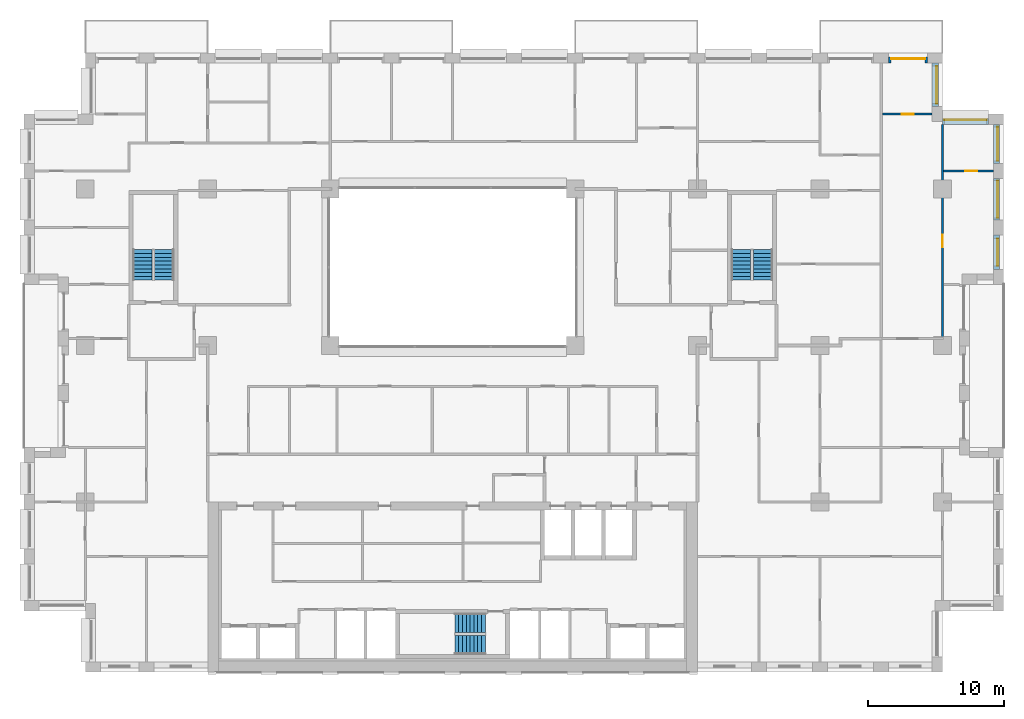
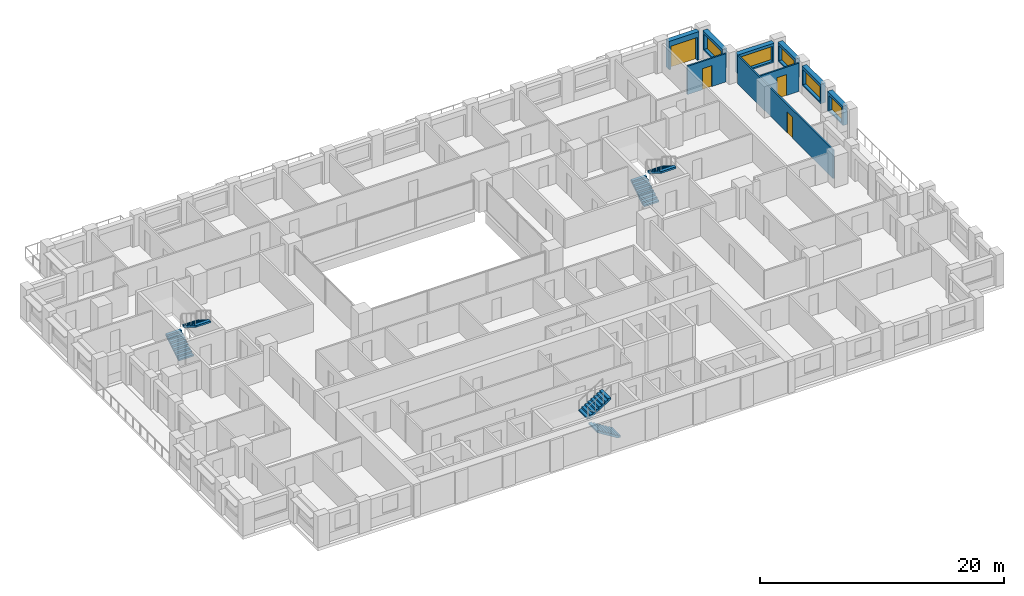
# One storey, part 15 of 16: 9 walls, 6 stair flights, 5 windows, 4 doors, 9 openings, 3 elements without a shape of their own.
"""IFC4 building model written with IfcOpenShell, lengths in metres."""

from ifc_helpers import new_model, si_unit, direction, frame, frame_2d, origin, place, context, subcontext, project, spatial, polyline, rectangle, outline, extrude, material, layer, layer_set, type_object, element, fill, aggregate, save


model = new_model("IFC4")

# Units and contexts
model_context = context("Model", 3, precision=1e-05, world=origin(), true_north=direction((0.0, 1.0)))
body_context = subcontext(model_context, "Body", "Model", "MODEL_VIEW")
ifc_project = project(units=[si_unit("LENGTHUNIT", "METRE"), si_unit("AREAUNIT", "SQUARE_METRE"), si_unit("VOLUMEUNIT", "CUBIC_METRE"), si_unit("PLANEANGLEUNIT", "RADIAN"), si_unit("MASSUNIT", "GRAM", prefix="KILO")], contexts=[model_context])

# Site, building, storey
site_placement = place(None, origin())
site = spatial("IfcSite", under=ifc_project, at=site_placement, CompositionType="ELEMENT")
building_placement = place(site_placement, origin())
building = spatial("IfcBuilding", under=site, at=building_placement, Name="Brigalow Station Residences", CompositionType="ELEMENT")
storey_placement = place(building_placement, frame((0.0, 0.0, 124.5)))
storey = spatial("IfcBuildingStorey", under=building, at=storey_placement, Name="L36", CompositionType="ELEMENT", Elevation=124.5)

# Wall, opening, window
ifc_material_1 = material(Name="Clay brick masonry", Category="masonry")
ifc_layer_1 = layer(ifc_material_1, 0.449951171875)
ifc_layer_set_1 = layer_set([ifc_layer_1], Name="BRICK INFILL WALL 450")
wall_type_1 = type_object("IfcWallType", Name="BRICK INFILL WALL 450", PredefinedType="SOLIDWALL", material=ifc_layer_set_1)
wall_1_placement = place(storey_placement, frame((75.97509765625, 29.60009765625, 0.89990234375), z_axis=(0.0, 0.0, 1.0), x_axis=(0.0, 1.0, 0.0)))
wall_1 = element("IfcWall", 1, at=wall_1_placement, inside=storey, type_object=wall_type_1, Name="L36/ewall/W-L36-18", PredefinedType="SOLIDWALL", context=body_context, shape_type="SweptSolid", body=[
    extrude(rectangle(XDim=2.516845703125, YDim=0.449951171875, at=frame_2d((1.25830078125, 0.0))), origin(), (0.0, 0.0, 1.0), 1.93017578125),
])
opening_1_placement = place(wall_1_placement, frame((0.258544921875, 0.0, 0.14990234375)))
opening_1 = element("IfcOpeningElement", 2, at=opening_1_placement, cuts=wall_1, Name="Opening WT-7", PredefinedType="OPENING", context=body_context, shape_type="SweptSolid", body=[
    extrude(rectangle(XDim=2.0, YDim=1.5, at=frame_2d((1.0, 0.75))), frame((0.0, 0.23486328125, 0.0), z_axis=(0.0, -1.0, 0.0), x_axis=(1.0, 0.0, 0.0)), (0.0, 0.0, 1.0), 0.469970703125),
])
ifc_material_2 = material(Name="Anodised aluminium frame with double glazing", Category="aluminium")
window_type_1 = type_object("IfcWindowType", Name="WINDOW 2000x1500", PartitioningType="SINGLE_PANEL", PredefinedType="WINDOW", material=ifc_material_2)
window_1_placement = place(opening_1_placement, origin())
window_1 = element("IfcWindow", 3, at=window_1_placement, inside=storey, type_object=window_type_1, Name="L36/window/W-L36-18", OverallHeight=1.5, OverallWidth=2.0, PartitioningType="SINGLE_PANEL", PredefinedType="WINDOW", context=body_context, shape_type="SweptSolid", body=[
    extrude(rectangle(XDim=2.0, YDim=1.5, at=frame_2d((1.0, 0.75))), frame((0.0, -0.06494140625, 0.0), z_axis=(0.0, -1.0, 0.0), x_axis=(1.0, 0.0, 0.0)), (0.0, 0.0, 1.0), 0.06005859375),
])
fill(opening_1, window_1)

wall_2_placement = place(storey_placement, frame((75.97509765625, 33.217041015625, 0.89990234375), z_axis=(0.0, 0.0, 1.0), x_axis=(0.0, 1.0, 0.0)))
wall_2 = element("IfcWall", 4, at=wall_2_placement, inside=storey, type_object=wall_type_1, Name="L36/ewall/W-L36-19", PredefinedType="SOLIDWALL", context=body_context, shape_type="SweptSolid", body=[
    extrude(rectangle(XDim=3.06591796875, YDim=0.449951171875, at=frame_2d((1.532958984375, 0.0))), origin(), (0.0, 0.0, 1.0), 1.93017578125),
])
opening_2_placement = place(wall_2_placement, frame((0.157958984375, 0.0, 0.14990234375)))
opening_2 = element("IfcOpeningElement", 5, at=opening_2_placement, cuts=wall_2, Name="Opening WT-3", PredefinedType="OPENING", context=body_context, shape_type="SweptSolid", body=[
    extrude(rectangle(XDim=2.75, YDim=1.5, at=frame_2d((1.375, 0.75))), frame((0.0, 0.23486328125, 0.0), z_axis=(0.0, -1.0, 0.0), x_axis=(1.0, 0.0, 0.0)), (0.0, 0.0, 1.0), 0.469970703125),
])
ifc_material_3 = material(Name="Anodised aluminium frame with double glazing", Category="aluminium")
window_type_2 = type_object("IfcWindowType", Name="WINDOW 2750x1500", PartitioningType="SINGLE_PANEL", PredefinedType="WINDOW", material=ifc_material_3)
window_2_placement = place(opening_2_placement, origin())
window_2 = element("IfcWindow", 6, at=window_2_placement, inside=storey, type_object=window_type_2, Name="L36/window/W-L36-19", OverallHeight=1.5, OverallWidth=2.75, PartitioningType="SINGLE_PANEL", PredefinedType="WINDOW", context=body_context, shape_type="SweptSolid", body=[
    extrude(rectangle(XDim=2.75, YDim=1.5, at=frame_2d((1.375, 0.75))), frame((0.0, -0.06494140625, 0.0), z_axis=(0.0, -1.0, 0.0), x_axis=(1.0, 0.0, 0.0)), (0.0, 0.0, 1.0), 0.06005859375),
])
fill(opening_2, window_2)

wall_3_placement = place(storey_placement, frame((75.97509765625, 37.383056640625, 0.89990234375), z_axis=(0.0, 0.0, 1.0), x_axis=(0.0, 1.0, 0.0)))
wall_3 = element("IfcWall", 7, at=wall_3_placement, inside=storey, type_object=wall_type_1, Name="L36/ewall/W-L36-20", PredefinedType="SOLIDWALL", context=body_context, shape_type="SweptSolid", body=[
    extrude(rectangle(XDim=2.866943359375, YDim=0.449951171875, at=frame_2d((1.43359375, 0.0))), origin(), (0.0, 0.0, 1.0), 1.93017578125),
])
opening_3_placement = place(wall_3_placement, frame((0.18359375, 0.0, 0.14990234375)))
opening_3 = element("IfcOpeningElement", 8, at=opening_3_placement, cuts=wall_3, Name="Opening WT-5", PredefinedType="OPENING", context=body_context, shape_type="SweptSolid", body=[
    extrude(rectangle(XDim=2.5, YDim=1.5, at=frame_2d((1.25, 0.75))), frame((0.0, 0.23486328125, 0.0), z_axis=(0.0, -1.0, 0.0), x_axis=(1.0, 0.0, 0.0)), (0.0, 0.0, 1.0), 0.469970703125),
])
ifc_material_4 = material(Name="Anodised aluminium frame with double glazing", Category="aluminium")
window_type_3 = type_object("IfcWindowType", Name="WINDOW 2500x1500", PartitioningType="SINGLE_PANEL", PredefinedType="WINDOW", material=ifc_material_4)
window_3_placement = place(opening_3_placement, origin())
window_3 = element("IfcWindow", 9, at=window_3_placement, inside=storey, type_object=window_type_3, Name="L36/window/W-L36-20", OverallHeight=1.5, OverallWidth=2.5, PartitioningType="SINGLE_PANEL", PredefinedType="WINDOW", context=body_context, shape_type="SweptSolid", body=[
    extrude(rectangle(XDim=2.5, YDim=1.5, at=frame_2d((1.25, 0.75))), frame((0.0, -0.06494140625, 0.0), z_axis=(0.0, -1.0, 0.0), x_axis=(1.0, 0.0, 0.0)), (0.0, 0.0, 1.0), 0.06005859375),
])
fill(opening_3, window_3)

wall_4_placement = place(storey_placement, frame((75.39990234375, 40.47509765625, 0.89990234375), z_axis=(0.0, 0.0, 1.0), x_axis=(-1.0, 0.0, 0.0)))
wall_4 = element("IfcWall", 10, at=wall_4_placement, inside=storey, type_object=wall_type_1, Name="L36/ewall/W-L36-21", PredefinedType="SOLIDWALL", context=body_context, shape_type="SweptSolid", body=[
    extrude(rectangle(XDim=3.39990234375, YDim=0.449951171875, at=frame_2d((1.699951171875, 0.0))), origin(), (0.0, 0.0, 1.0), 1.93017578125),
])
opening_4_placement = place(wall_4_placement, frame((0.14990234375, 0.0, 0.14990234375)))
opening_4 = element("IfcOpeningElement", 11, at=opening_4_placement, cuts=wall_4, Name="Opening WT-8", PredefinedType="OPENING", context=body_context, shape_type="SweptSolid", body=[
    extrude(rectangle(XDim=3.10009765625, YDim=1.5, at=frame_2d((1.550048828125, 0.75))), frame((0.0, 0.23486328125, 0.0), z_axis=(0.0, -1.0, 0.0), x_axis=(1.0, 0.0, 0.0)), (0.0, 0.0, 1.0), 0.469970703125),
])
ifc_material_5 = material(Name="Anodised aluminium frame with double glazing", Category="aluminium")
window_type_4 = type_object("IfcWindowType", Name="WINDOW 3100x1500", PartitioningType="SINGLE_PANEL", PredefinedType="WINDOW", material=ifc_material_5)
window_4_placement = place(opening_4_placement, origin())
window_4 = element("IfcWindow", 12, at=window_4_placement, inside=storey, type_object=window_type_4, Name="L36/window/W-L36-21", OverallHeight=1.5, OverallWidth=3.10009765625, PartitioningType="SINGLE_PANEL", PredefinedType="WINDOW", context=body_context, shape_type="SweptSolid", body=[
    extrude(rectangle(XDim=3.10009765625, YDim=1.5, at=frame_2d((1.550048828125, 0.75))), frame((0.0, -0.06494140625, 0.0), z_axis=(0.0, -1.0, 0.0), x_axis=(1.0, 0.0, 0.0)), (0.0, 0.0, 1.0), 0.06005859375),
])
fill(opening_4, window_4)

wall_5_placement = place(storey_placement, frame((71.47509765625, 41.550048828125, 0.89990234375), z_axis=(0.0, 0.0, 1.0), x_axis=(0.0, 1.0, 0.0)))
wall_5 = element("IfcWall", 13, at=wall_5_placement, inside=storey, type_object=wall_type_1, Name="L36/ewall/W-L36-22", PredefinedType="SOLIDWALL", context=body_context, shape_type="SweptSolid", body=[
    extrude(rectangle(XDim=3.199951171875, YDim=0.449951171875, at=frame_2d((1.60009765625, 0.0))), origin(), (0.0, 0.0, 1.0), 1.93017578125),
])
opening_5_placement = place(wall_5_placement, frame((0.22509765625, 0.0, 0.14990234375)))
opening_5 = element("IfcOpeningElement", 14, at=opening_5_placement, cuts=wall_5, Name="Opening WT-3", PredefinedType="OPENING", context=body_context, shape_type="SweptSolid", body=[
    extrude(rectangle(XDim=2.75, YDim=1.5, at=frame_2d((1.375, 0.75))), frame((0.0, 0.23486328125, 0.0), z_axis=(0.0, -1.0, 0.0), x_axis=(1.0, 0.0, 0.0)), (0.0, 0.0, 1.0), 0.469970703125),
])
window_5_placement = place(opening_5_placement, origin())
window_5 = element("IfcWindow", 15, at=window_5_placement, inside=storey, type_object=window_type_2, Name="L36/window/W-L36-22", OverallHeight=1.5, OverallWidth=2.75, PartitioningType="SINGLE_PANEL", PredefinedType="WINDOW", context=body_context, shape_type="SweptSolid", body=[
    extrude(rectangle(XDim=2.75, YDim=1.5, at=frame_2d((1.375, 0.75))), frame((0.0, -0.06494140625, 0.0), z_axis=(0.0, -1.0, 0.0), x_axis=(1.0, 0.0, 0.0)), (0.0, 0.0, 1.0), 0.06005859375),
])
fill(opening_5, window_5)

# Wall, opening, door
wall_6_placement = place(storey_placement, frame((70.89990234375, 44.97509765625, 0.0), z_axis=(0.0, 0.0, 1.0), x_axis=(-1.0, 0.0, 0.0)))
wall_6 = element("IfcWall", 16, at=wall_6_placement, inside=storey, type_object=wall_type_1, Name="L36/ewall/W-L36-23", PredefinedType="SOLIDWALL", context=body_context, shape_type="SweptSolid", body=[
    extrude(rectangle(XDim=2.849853515625, YDim=0.449951171875, at=frame_2d((1.4248046875, 0.0))), origin(), (0.0, 0.0, 1.0), 2.830078125),
])
opening_6_placement = place(wall_6_placement, frame((0.175048828125, 0.0, 0.0)))
opening_6 = element("IfcOpeningElement", 17, at=opening_6_placement, cuts=wall_6, Name="Opening D-B2500", PredefinedType="OPENING", context=body_context, shape_type="SweptSolid", body=[
    extrude(rectangle(XDim=2.5, YDim=2.300048828125, at=frame_2d((1.25, 1.14990234375))), frame((0.0, 0.23486328125, 0.0), z_axis=(0.0, -1.0, 0.0), x_axis=(1.0, 0.0, 0.0)), (0.0, 0.0, 1.0), 0.469970703125),
])
ifc_material_6 = material(Name="Anodised aluminium frame with double glazing", Category="aluminium")
door_type_1 = type_object("IfcDoorType", Name="BALCONY SLIDING DOOR 2500x2300", OperationType="SLIDING_TO_LEFT", PredefinedType="DOOR", material=ifc_material_6)
door_1_placement = place(opening_6_placement, origin())
door_1 = element("IfcDoor", 18, at=door_1_placement, inside=storey, type_object=door_type_1, Name="L36/balcony-door/W-L36-23", OperationType="SLIDING_TO_LEFT", OverallHeight=2.300048828125, OverallWidth=2.5, PredefinedType="DOOR", context=body_context, shape_type="SweptSolid", body=[
    extrude(rectangle(XDim=2.5, YDim=2.300048828125, at=frame_2d((1.25, 1.14990234375))), frame((0.0, -0.06982421875, 0.0), z_axis=(0.0, -1.0, 0.0), x_axis=(1.0, 0.0, 0.0)), (0.0, 0.0, 1.0), 0.050048828125),
])
fill(opening_6, door_1)

ifc_material_7 = material(Name="Plasterboard on steel stud partition", Category="steel")
ifc_layer_2 = layer(ifc_material_7, 0.14990234375)
ifc_layer_set_2 = layer_set([ifc_layer_2], Name="FLAT PARTITION 150")
wall_type_2 = type_object("IfcWallType", Name="FLAT PARTITION 150", PredefinedType="PARTITIONING", material=ifc_layer_set_2)
wall_7_placement = place(storey_placement, frame((72.074951171875, 36.8330078125, 0.0), z_axis=(0.0, 0.0, 1.0), x_axis=(1.0, 0.0, 0.0)))
wall_7 = element("IfcWall", 19, at=wall_7_placement, inside=storey, type_object=wall_type_2, Name="PW-2F24", PredefinedType="PARTITIONING", context=body_context, shape_type="SweptSolid", body=[
    extrude(rectangle(XDim=3.675048828125, YDim=0.14990234375, at=frame_2d((1.83740234375, 0.0))), origin(), (0.0, 0.0, 1.0), 2.830078125),
])
opening_7_placement = place(wall_7_placement, frame((1.60009765625, 0.0, 0.0)))
opening_7 = element("IfcOpeningElement", 20, at=opening_7_placement, cuts=wall_7, Name="Opening D-2F48", PredefinedType="OPENING", context=body_context, shape_type="SweptSolid", body=[
    extrude(rectangle(XDim=0.89990234375, YDim=2.10009765625, at=frame_2d((0.449951171875, 1.050048828125))), frame((0.0, 0.0849609375, 0.0), z_axis=(0.0, -1.0, 0.0), x_axis=(1.0, 0.0, 0.0)), (0.0, 0.0, 1.0), 0.169921875),
])
ifc_material_8 = material(Name="Solid-core timber door leaf", Category="wood")
door_type_2 = type_object("IfcDoorType", Name="INTERNAL DOOR 900 x 2100", OperationType="SINGLE_SWING_LEFT", PredefinedType="DOOR", material=ifc_material_8)
door_2_placement = place(opening_7_placement, origin())
door_2 = element("IfcDoor", 21, at=door_2_placement, inside=storey, type_object=door_type_2, Name="D-2F48", OperationType="SINGLE_SWING_RIGHT", OverallHeight=2.10009765625, OverallWidth=0.89990234375, PredefinedType="DOOR", context=body_context, shape_type="SweptSolid", body=[
    extrude(rectangle(XDim=0.89990234375, YDim=2.10009765625, at=frame_2d((0.449951171875, 1.050048828125))), frame((0.0, 0.02490234375, 0.0), z_axis=(0.0, -1.0, 0.0), x_axis=(1.0, 0.0, 0.0)), (0.0, 0.0, 1.0), 0.050048828125),
])
fill(opening_7, door_2)

wall_8_placement = place(storey_placement, frame((67.60009765625, 41.0, 0.0), z_axis=(0.0, 0.0, 1.0), x_axis=(1.0, 0.0, 0.0)))
wall_8 = element("IfcWall", 22, at=wall_8_placement, inside=storey, type_object=wall_type_2, Name="PW-2F30", PredefinedType="PARTITIONING", context=body_context, shape_type="SweptSolid", body=[
    extrude(rectangle(XDim=3.64990234375, YDim=0.14990234375, at=frame_2d((1.824951171875, 0.0))), origin(), (0.0, 0.0, 1.0), 2.830078125),
])
opening_8_placement = place(wall_8_placement, frame((1.39990234375, 0.0, 0.0)))
opening_8 = element("IfcOpeningElement", 23, at=opening_8_placement, cuts=wall_8, Name="Opening D-2F49", PredefinedType="OPENING", context=body_context, shape_type="SweptSolid", body=[
    extrude(rectangle(XDim=0.89990234375, YDim=2.10009765625, at=frame_2d((0.449951171875, 1.050048828125))), frame((0.0, 0.0849609375, 0.0), z_axis=(0.0, -1.0, 0.0), x_axis=(1.0, 0.0, 0.0)), (0.0, 0.0, 1.0), 0.169921875),
])
door_3_placement = place(opening_8_placement, origin())
door_3 = element("IfcDoor", 24, at=door_3_placement, inside=storey, type_object=door_type_2, Name="D-2F49", OperationType="SINGLE_SWING_RIGHT", OverallHeight=2.10009765625, OverallWidth=0.89990234375, PredefinedType="DOOR", context=body_context, shape_type="SweptSolid", body=[
    extrude(rectangle(XDim=0.89990234375, YDim=2.10009765625, at=frame_2d((0.449951171875, 1.050048828125))), frame((0.0, 0.02490234375, 0.0), z_axis=(0.0, -1.0, 0.0), x_axis=(1.0, 0.0, 0.0)), (0.0, 0.0, 1.0), 0.050048828125),
])
fill(opening_8, door_3)

wall_9_placement = place(storey_placement, frame((72.0, 24.574951171875, 0.0), z_axis=(0.0, 0.0, 1.0), x_axis=(0.0, 1.0, 0.0)))
wall_9 = element("IfcWall", 25, at=wall_9_placement, inside=storey, type_object=wall_type_2, Name="PW-2F71", PredefinedType="PARTITIONING", context=body_context, shape_type="SweptSolid", body=[
    extrude(rectangle(XDim=15.675048828125, YDim=0.14990234375, at=frame_2d((7.83740234375, 0.0))), origin(), (0.0, 0.0, 1.0), 2.830078125),
])
opening_9_placement = place(wall_9_placement, frame((6.64990234375, 0.0, 0.0)))
opening_9 = element("IfcOpeningElement", 26, at=opening_9_placement, cuts=wall_9, Name="Opening D-2F47", PredefinedType="OPENING", context=body_context, shape_type="SweptSolid", body=[
    extrude(rectangle(XDim=0.89990234375, YDim=2.10009765625, at=frame_2d((0.449951171875, 1.050048828125))), frame((0.0, 0.0849609375, 0.0), z_axis=(0.0, -1.0, 0.0), x_axis=(1.0, 0.0, 0.0)), (0.0, 0.0, 1.0), 0.169921875),
])
door_4_placement = place(opening_9_placement, frame((0.89990234375, 0.0, 0.0), z_axis=(0.0, 0.0, 1.0), x_axis=(-1.0, 0.0, 0.0)))
door_4 = element("IfcDoor", 27, at=door_4_placement, inside=storey, type_object=door_type_2, Name="D-2F47", OperationType="SINGLE_SWING_RIGHT", OverallHeight=2.10009765625, OverallWidth=0.89990234375, PredefinedType="DOOR", context=body_context, shape_type="SweptSolid", body=[
    extrude(rectangle(XDim=0.89990234375, YDim=2.10009765625, at=frame_2d((0.449951171875, 1.050048828125))), frame((0.0, 0.02490234375, 0.0), z_axis=(0.0, -1.0, 0.0), x_axis=(1.0, 0.0, 0.0)), (0.0, 0.0, 1.0), 0.050048828125),
])
fill(opening_9, door_4)

# Stair, stair flights
ifc_material_9 = material(Name="Concrete C50", Category="concrete")
stair_type = type_object("IfcStairType", Name="EXIT STAIR 1400 2 FLIGHT", PredefinedType="HALF_TURN_STAIR", material=ifc_material_9)
stair_1_placement = place(storey_placement, origin())
stair_1 = element("IfcStair", 28, at=stair_1_placement, inside=storey, type_object=stair_type, Name="EXIT STAIR S2 L36", PredefinedType="HALF_TURN_STAIR")
ifc_material_10 = material(Name="Concrete C50", Category="concrete")
stair_flight_type = type_object("IfcStairFlightType", Name="STAIR FLIGHT 1400", PredefinedType="STRAIGHT", material=ifc_material_10)
stair_flight_1_placement = place(storey_placement, frame((38.39990234375, 2.0, 0.0), z_axis=(0.0, 0.0, 1.0), x_axis=(-1.0, 0.0, 0.0)))
stair_flight_1 = element("IfcStairFlight", 29, at=stair_flight_1_placement, type_object=stair_flight_type, Name="ST-2 flight 1", NumberOfRisers=9, NumberOfTreads=8, PredefinedType="STRAIGHT", RiserHeight=0.175, TreadLength=0.28, context=body_context, shape_type="SweptSolid", body=[
    extrude(outline(polyline([(0.0, 0.0), (0.0, 0.175048828125), (0.280029296875, 0.175048828125), (0.280029296875, 0.35009765625), (0.56005859375, 0.35009765625), (0.56005859375, 0.52490234375), (0.840087890625, 0.52490234375), (0.840087890625, 0.699951171875), (1.1201171875, 0.699951171875), (1.1201171875, 0.875), (1.39990234375, 0.875), (1.39990234375, 1.050048828125), (1.679931640625, 1.050048828125), (1.679931640625, 1.22509765625), (1.9599609375, 1.22509765625), (1.9599609375, 1.39990234375), (2.239990234375, 1.39990234375), (2.239990234375, 1.574951171875), (2.239990234375, 1.22314453125), (0.28271484375, 0.0), (0.0, 0.0)])), frame((0.0, 0.699951171875, 0.0), z_axis=(0.0, -1.0, 0.0), x_axis=(1.0, 0.0, 0.0)), (0.0, 0.0, 1.0), 1.39990234375),
])
stair_flight_2_placement = place(storey_placement, frame((36.159912109375, 3.60009765625, 1.574951171875), z_axis=(0.0, 0.0, 1.0), x_axis=(1.0, 0.0, 0.0)))
stair_flight_2 = element("IfcStairFlight", 30, at=stair_flight_2_placement, type_object=stair_flight_type, Name="ST-2 flight 2", NumberOfRisers=9, NumberOfTreads=8, PredefinedType="STRAIGHT", RiserHeight=0.175, TreadLength=0.28, context=body_context, shape_type="SweptSolid", body=[
    extrude(outline(polyline([(0.0, 0.0), (0.0, 0.175048828125), (0.280029296875, 0.175048828125), (0.280029296875, 0.35009765625), (0.56005859375, 0.35009765625), (0.56005859375, 0.52490234375), (0.840087890625, 0.52490234375), (0.840087890625, 0.699951171875), (1.1201171875, 0.699951171875), (1.1201171875, 0.875), (1.39990234375, 0.875), (1.39990234375, 1.050048828125), (1.679931640625, 1.050048828125), (1.679931640625, 1.22509765625), (1.9599609375, 1.22509765625), (1.9599609375, 1.39990234375), (2.239990234375, 1.39990234375), (2.239990234375, 1.574951171875), (2.239990234375, 1.22314453125), (0.28271484375, 0.0), (0.0, 0.0)])), frame((0.0, 0.699951171875, 0.0), z_axis=(0.0, -1.0, 0.0), x_axis=(1.0, 0.0, 0.0)), (0.0, 0.0, 1.0), 1.39990234375),
])
aggregate(stair_1, [stair_flight_1, stair_flight_2])

stair_2_placement = place(storey_placement, origin())
stair_2 = element("IfcStair", 31, at=stair_2_placement, inside=storey, type_object=stair_type, Name="EXIT STAIR S1 L36", PredefinedType="HALF_TURN_STAIR")
stair_flight_3_placement = place(storey_placement, frame((13.199951171875, 28.800048828125, 0.0), z_axis=(0.0, 0.0, 1.0), x_axis=(0.0, 1.0, 0.0)))
stair_flight_3 = element("IfcStairFlight", 32, at=stair_flight_3_placement, type_object=stair_flight_type, Name="ST-1 flight 1", NumberOfRisers=9, NumberOfTreads=8, PredefinedType="STRAIGHT", RiserHeight=0.175, TreadLength=0.28, context=body_context, shape_type="SweptSolid", body=[
    extrude(outline(polyline([(0.0, 0.0), (0.0, 0.175048828125), (0.280029296875, 0.175048828125), (0.280029296875, 0.35009765625), (0.56005859375, 0.35009765625), (0.56005859375, 0.52490234375), (0.840087890625, 0.52490234375), (0.840087890625, 0.699951171875), (1.1201171875, 0.699951171875), (1.1201171875, 0.875), (1.39990234375, 0.875), (1.39990234375, 1.050048828125), (1.679931640625, 1.050048828125), (1.679931640625, 1.22509765625), (1.9599609375, 1.22509765625), (1.9599609375, 1.39990234375), (2.239990234375, 1.39990234375), (2.239990234375, 1.574951171875), (2.239990234375, 1.22314453125), (0.28271484375, 0.0), (0.0, 0.0)])), frame((0.0, 0.699951171875, 0.0), z_axis=(0.0, -1.0, 0.0), x_axis=(1.0, 0.0, 0.0)), (0.0, 0.0, 1.0), 1.39990234375),
])
stair_flight_4_placement = place(storey_placement, frame((14.800048828125, 31.0400390625, 1.574951171875), z_axis=(0.0, 0.0, 1.0), x_axis=(0.0, -1.0, 0.0)))
stair_flight_4 = element("IfcStairFlight", 33, at=stair_flight_4_placement, type_object=stair_flight_type, Name="ST-1 flight 2", NumberOfRisers=9, NumberOfTreads=8, PredefinedType="STRAIGHT", RiserHeight=0.175, TreadLength=0.28, context=body_context, shape_type="SweptSolid", body=[
    extrude(outline(polyline([(0.0, 0.0), (0.0, 0.175048828125), (0.280029296875, 0.175048828125), (0.280029296875, 0.35009765625), (0.56005859375, 0.35009765625), (0.56005859375, 0.52490234375), (0.840087890625, 0.52490234375), (0.840087890625, 0.699951171875), (1.1201171875, 0.699951171875), (1.1201171875, 0.875), (1.39990234375, 0.875), (1.39990234375, 1.050048828125), (1.679931640625, 1.050048828125), (1.679931640625, 1.22509765625), (1.9599609375, 1.22509765625), (1.9599609375, 1.39990234375), (2.239990234375, 1.39990234375), (2.239990234375, 1.574951171875), (2.239990234375, 1.22314453125), (0.28271484375, 0.0), (0.0, 0.0)])), frame((0.0, 0.699951171875, 0.0), z_axis=(0.0, -1.0, 0.0), x_axis=(1.0, 0.0, 0.0)), (0.0, 0.0, 1.0), 1.39990234375),
])
aggregate(stair_2, [stair_flight_3, stair_flight_4])

stair_3_placement = place(storey_placement, origin())
stair_3 = element("IfcStair", 34, at=stair_3_placement, inside=storey, type_object=stair_type, Name="EXIT STAIR S3 L36", PredefinedType="HALF_TURN_STAIR")
stair_flight_5_placement = place(storey_placement, frame((57.199951171875, 28.800048828125, 0.0), z_axis=(0.0, 0.0, 1.0), x_axis=(0.0, 1.0, 0.0)))
stair_flight_5 = element("IfcStairFlight", 35, at=stair_flight_5_placement, type_object=stair_flight_type, Name="ST-3 flight 1", NumberOfRisers=9, NumberOfTreads=8, PredefinedType="STRAIGHT", RiserHeight=0.175, TreadLength=0.28, context=body_context, shape_type="SweptSolid", body=[
    extrude(outline(polyline([(0.0, 0.0), (0.0, 0.175048828125), (0.280029296875, 0.175048828125), (0.280029296875, 0.35009765625), (0.56005859375, 0.35009765625), (0.56005859375, 0.52490234375), (0.840087890625, 0.52490234375), (0.840087890625, 0.699951171875), (1.1201171875, 0.699951171875), (1.1201171875, 0.875), (1.39990234375, 0.875), (1.39990234375, 1.050048828125), (1.679931640625, 1.050048828125), (1.679931640625, 1.22509765625), (1.9599609375, 1.22509765625), (1.9599609375, 1.39990234375), (2.239990234375, 1.39990234375), (2.239990234375, 1.574951171875), (2.239990234375, 1.22314453125), (0.28271484375, 0.0), (0.0, 0.0)])), frame((0.0, 0.699951171875, 0.0), z_axis=(0.0, -1.0, 0.0), x_axis=(1.0, 0.0, 0.0)), (0.0, 0.0, 1.0), 1.39990234375),
])
stair_flight_6_placement = place(storey_placement, frame((58.800048828125, 31.0400390625, 1.574951171875), z_axis=(0.0, 0.0, 1.0), x_axis=(0.0, -1.0, 0.0)))
stair_flight_6 = element("IfcStairFlight", 36, at=stair_flight_6_placement, type_object=stair_flight_type, Name="ST-3 flight 2", NumberOfRisers=9, NumberOfTreads=8, PredefinedType="STRAIGHT", RiserHeight=0.175, TreadLength=0.28, context=body_context, shape_type="SweptSolid", body=[
    extrude(outline(polyline([(0.0, 0.0), (0.0, 0.175048828125), (0.280029296875, 0.175048828125), (0.280029296875, 0.35009765625), (0.56005859375, 0.35009765625), (0.56005859375, 0.52490234375), (0.840087890625, 0.52490234375), (0.840087890625, 0.699951171875), (1.1201171875, 0.699951171875), (1.1201171875, 0.875), (1.39990234375, 0.875), (1.39990234375, 1.050048828125), (1.679931640625, 1.050048828125), (1.679931640625, 1.22509765625), (1.9599609375, 1.22509765625), (1.9599609375, 1.39990234375), (2.239990234375, 1.39990234375), (2.239990234375, 1.574951171875), (2.239990234375, 1.22314453125), (0.28271484375, 0.0), (0.0, 0.0)])), frame((0.0, 0.699951171875, 0.0), z_axis=(0.0, -1.0, 0.0), x_axis=(1.0, 0.0, 0.0)), (0.0, 0.0, 1.0), 1.39990234375),
])
aggregate(stair_3, [stair_flight_5, stair_flight_6])

save(model, "model.ifc")
